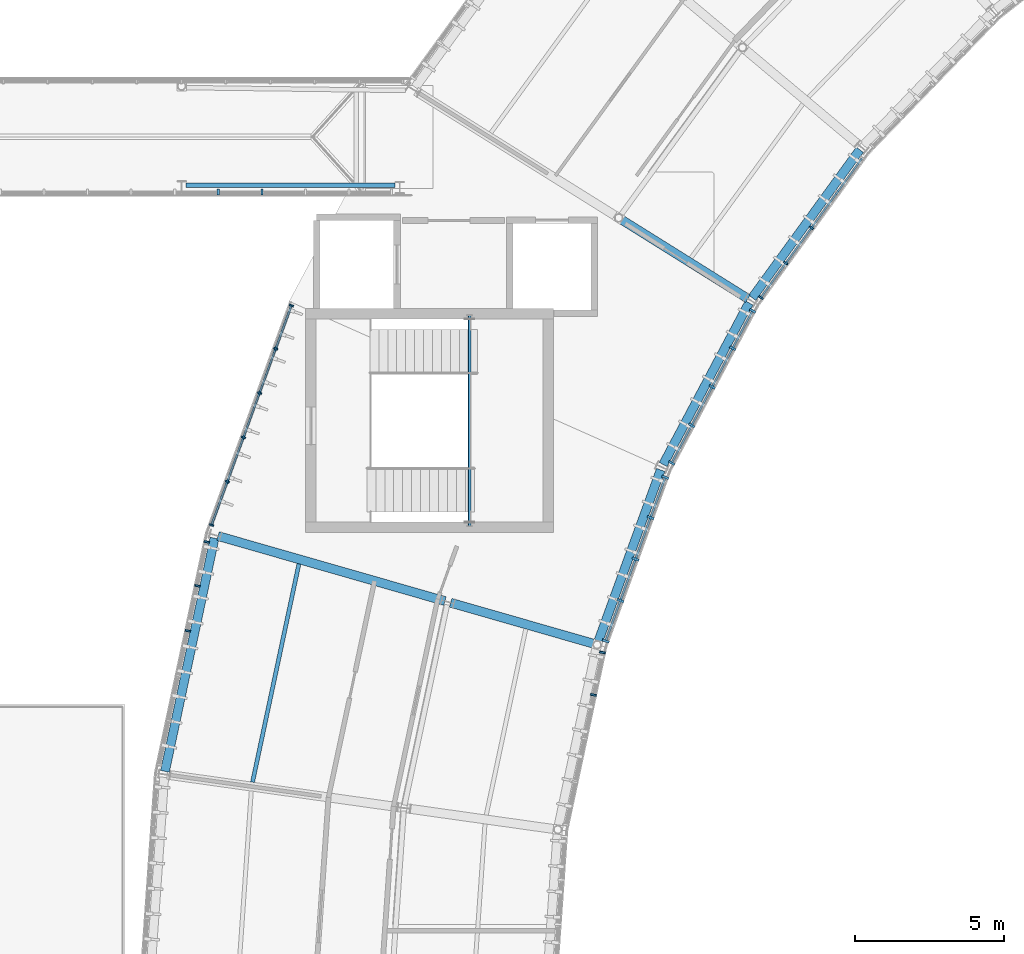
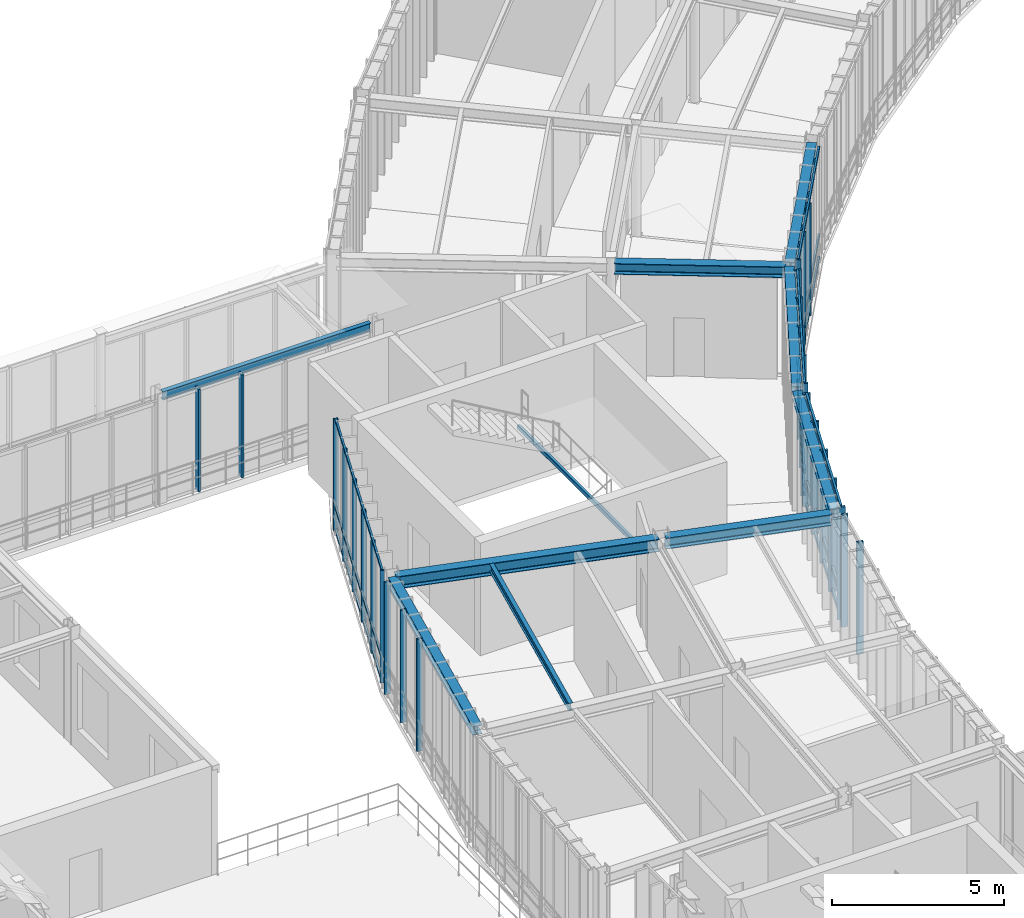
# One storey, part 16 of 52: 39 members, 9 beams, 7 elements without a shape of their own.
"""IFC4 building model written with IfcOpenShell, lengths in metres."""

from ifc_helpers import new_model, si_unit, direction, frame, origin, origin_2d, place, context, subcontext, project, spatial, rectangle, hollow_rectangle, i_section, extrude, material, layer, layer_set, material_profile, profile_set, type_object, element, aggregate, save


model = new_model("IFC4")

# Units and contexts
model_context = context("Model", 3, precision=1e-05, world=origin(), true_north=direction((0.0, 1.0)))
body_context = subcontext(model_context, "Body", "Model", "MODEL_VIEW")
ifc_project = project(units=[si_unit("LENGTHUNIT", "METRE"), si_unit("AREAUNIT", "SQUARE_METRE"), si_unit("VOLUMEUNIT", "CUBIC_METRE"), si_unit("PLANEANGLEUNIT", "RADIAN"), si_unit("MASSUNIT", "GRAM", prefix="KILO"), si_unit("THERMODYNAMICTEMPERATUREUNIT", "KELVIN"), si_unit("POWERUNIT", "WATT")], contexts=[model_context])

# Site, building, storey
site_placement = place(None, origin())
site = spatial("IfcSite", under=ifc_project, at=site_placement, CompositionType="ELEMENT")
building_placement = place(site_placement, origin())
building = spatial("IfcBuilding", under=site, at=building_placement, Name="Solvatero Civic Police Headquarters", CompositionType="ELEMENT")
storey_placement = place(building_placement, frame((0.0, 0.0, 13.5)))
storey = spatial("IfcBuildingStorey", under=building, at=storey_placement, Name="L03", CompositionType="ELEMENT", Elevation=13.5)

# Beams
ifc_material_1 = material(Name="Steel S355", Category="steel")
ifc_material_profile_1 = material_profile(ifc_material_1, i_section(OverallWidth=0.300048828125, OverallDepth=0.2900390625, WebThickness=0.008544921875, FlangeThickness=0.013916015625, FilletRadius=0.027099609375, at=origin_2d()), Name="HEA 300")
ifc_profile_set_1 = profile_set([ifc_material_profile_1], Name="Steel S355")
beam_type_1 = type_object("IfcBeamType", Name="BM-ST-HEA300", PredefinedType="SPANDREL", material=ifc_profile_set_1)
beam_1_placement = place(storey_placement, frame((59.201171875, 55.069580078125, 3.85498046875), z_axis=(-0.587785436261, -0.809016860714, 0.0), x_axis=(0.809016860714, -0.587785436261, 0.0)))
element("IfcBeam", 1, at=beam_1_placement, inside=storey, type_object=beam_type_1, Name="Perimeter / radial spandrel beam BM-R2-L03-ARC-CIN-B08", PredefinedType="SPANDREL", context=body_context, shape_type="SweptSolid", body=[
    extrude(i_section(OverallWidth=0.300048828125, OverallDepth=0.2900390625, WebThickness=0.008544921875, FlangeThickness=0.013916015625, FilletRadius=0.027099609375, at=origin_2d()), origin(), (0.0, 0.0, 1.0), 6.126953125),
])
beam_2_placement = place(storey_placement, frame((55.494140625, 49.943603515625, 3.85498046875), z_axis=(-0.469466925059, -0.882950058766, 0.0), x_axis=(0.882950058766, -0.469466925059, 0.0)))
element("IfcBeam", 2, at=beam_2_placement, inside=storey, type_object=beam_type_1, Name="Perimeter / radial spandrel beam BM-R2-L03-ARC-CIN-B09", PredefinedType="SPANDREL", context=body_context, shape_type="SweptSolid", body=[
    extrude(i_section(OverallWidth=0.300048828125, OverallDepth=0.2900390625, WebThickness=0.008544921875, FlangeThickness=0.013916015625, FilletRadius=0.027099609375, at=origin_2d()), origin(), (0.0, 0.0, 1.0), 6.127197265625),
])
beam_3_placement = place(storey_placement, frame((52.53662109375, 44.3515625, 3.85498046875), z_axis=(-0.342050189855, -0.939681684199, 0.0), x_axis=(0.939681684199, -0.342050189855, 0.0)))
element("IfcBeam", 3, at=beam_3_placement, inside=storey, type_object=beam_type_1, Name="Perimeter / radial spandrel beam BM-R2-L03-ARC-CIN-B10", PredefinedType="SPANDREL", context=body_context, shape_type="SweptSolid", body=[
    extrude(i_section(OverallWidth=0.300048828125, OverallDepth=0.2900390625, WebThickness=0.008544921875, FlangeThickness=0.013916015625, FilletRadius=0.027099609375, at=origin_2d()), origin(), (0.0, 0.0, 1.0), 6.126953125),
])
ifc_material_profile_2 = material_profile(ifc_material_1, i_section(OverallWidth=0.300048828125, OverallDepth=0.31005859375, WebThickness=0.009033203125, FlangeThickness=0.015380859375, FilletRadius=0.027099609375, at=origin_2d()), Name="HEA 320")
ifc_profile_set_2 = profile_set([ifc_material_profile_2], Name="Steel S355")
beam_type_2 = type_object("IfcBeamType", Name="BM-ST-HEA320", PredefinedType="SPANDREL", material=ifc_profile_set_2)
beam_4_placement = place(storey_placement, frame((37.601318359375, 42.068359375, 3.844970703125), z_axis=(-0.207912160321, -0.978147500938, 0.0), x_axis=(0.978147500938, -0.207912160321, 0.0)))
element("IfcBeam", 4, at=beam_4_placement, inside=storey, type_object=beam_type_2, Name="Perimeter / radial spandrel beam BM-R2-L03-ARC-COUT-B11", PredefinedType="SPANDREL", context=body_context, shape_type="SweptSolid", body=[
    extrude(i_section(OverallWidth=0.300048828125, OverallDepth=0.31005859375, WebThickness=0.009033203125, FlangeThickness=0.015380859375, FilletRadius=0.027099609375, at=origin_2d()), origin(), (0.0, 0.0, 1.0), 7.982666015625),
])
ifc_material_profile_3 = material_profile(ifc_material_1, i_section(OverallWidth=0.300048828125, OverallDepth=0.389892578125, WebThickness=0.010986328125, FlangeThickness=0.01904296875, FilletRadius=0.027099609375, at=origin_2d()), Name="HEA 400")
ifc_profile_set_3 = profile_set([ifc_material_profile_3], Name="Steel S355")
beam_type_3 = type_object("IfcBeamType", Name="BM-ST-HEA400", PredefinedType="BEAM", material=ifc_profile_set_3)
for number, where, z_axis, x_axis, name in (
    (5, (55.456298828125, 50.084716796875, 3.804931640625), (-0.848042191304, 0.529928713855, 0.0), (-0.529928713855, -0.848042191304, 0.0), "Primary girder BM-R2-L03-ARC-RAD1-S08"),
    (6, (50.310791015625, 38.52783203125, 3.804931640625), (-0.961263719424, 0.275630298987, 0.0), (-0.275630298987, -0.961263719424, 0.0), "Primary girder BM-R2-L03-ARC-RAD1-S10"),
):
    element("IfcBeam", number, at=place(storey_placement, frame(where, z_axis=z_axis, x_axis=x_axis)), inside=storey, type_object=beam_type_3, Name=name, PredefinedType="BEAM", context=body_context, shape_type="SweptSolid", body=[
        extrude(i_section(OverallWidth=0.300048828125, OverallDepth=0.389892578125, WebThickness=0.010986328125, FlangeThickness=0.01904296875, FilletRadius=0.027099609375, at=origin_2d()), origin(), (0.0, 0.0, 1.0), 5.0),
    ])
ifc_material_profile_4 = material_profile(ifc_material_1, i_section(OverallWidth=0.300048828125, OverallDepth=0.43994140625, WebThickness=0.011474609375, FlangeThickness=0.02099609375, FilletRadius=0.027099609375, at=origin_2d()), Name="HEA 450")
ifc_profile_set_4 = profile_set([ifc_material_profile_4], Name="Steel S355")
beam_type_4 = type_object("IfcBeamType", Name="BM-ST-HEA450", PredefinedType="BEAM", material=ifc_profile_set_4)
beam_5_placement = place(storey_placement, frame((45.31201171875, 39.961181640625, 3.780029296875), z_axis=(-0.961271645974, 0.275602653554, 0.0), x_axis=(-0.275602653554, -0.961271645974, 0.0)))
element("IfcBeam", 7, at=beam_5_placement, inside=storey, type_object=beam_type_4, Name="Primary girder BM-R2-L03-ARC-RAD2-S10", PredefinedType="BEAM", context=body_context, shape_type="SweptSolid", body=[
    extrude(i_section(OverallWidth=0.300048828125, OverallDepth=0.43994140625, WebThickness=0.011474609375, FlangeThickness=0.02099609375, FilletRadius=0.027099609375, at=origin_2d()), origin(), (0.0, 0.0, 1.0), 7.89990234375),
])
ifc_material_profile_5 = material_profile(ifc_material_1, i_section(OverallWidth=0.135009765625, OverallDepth=0.27001953125, WebThickness=0.006591796875, FlangeThickness=0.01025390625, FilletRadius=0.014892578125, at=origin_2d()), Name="IPE 270")
ifc_profile_set_5 = profile_set([ifc_material_profile_5], Name="Steel S355")
beam_type_5 = type_object("IfcBeamType", Name="BM-ST-IPE270", PredefinedType="BEAM", material=ifc_profile_set_5)
beam_6_placement = place(storey_placement, frame((40.426513671875, 41.206298828125, 3.864990234375), z_axis=(-0.207904092949, -0.97814921568, 0.0), x_axis=(0.97814921568, -0.207904092949, 0.0)))
element("IfcBeam", 8, at=beam_6_placement, inside=storey, type_object=beam_type_5, Name="Composite floor beam BM-R2-L03-ARC-CS2-B11", PredefinedType="BEAM", context=body_context, shape_type="SweptSolid", body=[
    extrude(i_section(OverallWidth=0.135009765625, OverallDepth=0.27001953125, WebThickness=0.006591796875, FlangeThickness=0.01025390625, FilletRadius=0.014892578125, at=origin_2d()), origin(), (0.0, 0.0, 1.0), 7.470947265625),
])
ifc_material_profile_6 = material_profile(ifc_material_1, i_section(OverallWidth=0.14990234375, OverallDepth=0.300048828125, WebThickness=0.007080078125, FlangeThickness=0.0107421875, FilletRadius=0.014892578125, at=origin_2d()), Name="IPE 300")
ifc_profile_set_6 = profile_set([ifc_material_profile_6], Name="Steel S355")
beam_type_6 = type_object("IfcBeamType", Name="BM-ST-IPE300", PredefinedType="BEAM", material=ifc_profile_set_6)
beam_7_placement = place(storey_placement, frame((36.64990234375, 53.8798828125, 3.6298828125), z_axis=(1.0, 0.0, 0.0), x_axis=(0.0, 1.0, 0.0)))
element("IfcBeam", 9, at=beam_7_placement, inside=storey, type_object=beam_type_6, Name="Composite floor beam BM-R2-L03-RRAF-SB1-S", PredefinedType="BEAM", context=body_context, shape_type="SweptSolid", body=[
    extrude(i_section(OverallWidth=0.14990234375, OverallDepth=0.300048828125, WebThickness=0.007080078125, FlangeThickness=0.0107421875, FilletRadius=0.014892578125, at=origin_2d()), origin(), (0.0, 0.0, 1.0), 7.0),
])

# Curtain wall, members
ifc_material_2 = material(Name="Anodized Bronze Aluminium", Category="aluminium")
ifc_layer_1 = layer(ifc_material_2, 0.179931640625)
ifc_layer_set_1 = layer_set([ifc_layer_1], Name="Anodized Bronze Aluminium")
curtain_wall_type_1 = type_object("IfcCurtainWallType", Name="CW-ARC-IN", PredefinedType="USERDEFINED", material=ifc_layer_set_1)
curtain_wall_1_placement = place(storey_placement, origin())
curtain_wall_1 = element("IfcCurtainWall", 10, at=curtain_wall_1_placement, inside=storey, type_object=curtain_wall_type_1, Name="Curtain Wall CW-R2-L03-ARC-IN-B10", ObjectType="UNITISED", PredefinedType="USERDEFINED")
ifc_material_profile_7 = material_profile(ifc_material_2, rectangle(XDim=0.080078125, YDim=0.239990234375, at=origin_2d()), Name="ALU MULLION 80x240")
ifc_profile_set_7 = profile_set([ifc_material_profile_7], Name="Anodized Bronze Aluminium")
member_type_1 = type_object("IfcMemberType", Name="CWM-140x60", PredefinedType="MULLION", material=ifc_profile_set_7)
member_1_placement = place(storey_placement, frame((52.6904296875, 44.10400390625, 0.0), z_axis=(0.0, 0.0, 1.0), x_axis=(-0.342020143326, -0.939692620786, 0.0)))
member_1 = element("IfcMember", 11, at=member_1_placement, type_object=member_type_1, Name="CW-R2-L03-ARC-IN-B10 Mullion 1", PredefinedType="MULLION", context=body_context, shape_type="SweptSolid", body=[
    extrude(rectangle(XDim=0.080078125, YDim=0.239990234375, at=origin_2d()), origin(), (0.0, 0.0, 1.0), 4.0),
])
member_2_placement = place(storey_placement, frame((52.19873046875, 42.7529296875, 0.0), z_axis=(0.0, 0.0, 1.0), x_axis=(-0.342020143326, -0.939692620786, 0.0)))
member_2 = element("IfcMember", 12, at=member_2_placement, type_object=member_type_1, Name="CW-R2-L03-ARC-IN-B10 Mullion 2", PredefinedType="MULLION", context=body_context, shape_type="SweptSolid", body=[
    extrude(rectangle(XDim=0.080078125, YDim=0.239990234375, at=origin_2d()), origin(), (0.0, 0.0, 1.0), 4.0),
])
member_3_placement = place(storey_placement, frame((51.693603515625, 41.364501953125, 0.0), z_axis=(0.0, 0.0, 1.0), x_axis=(-0.342020143326, -0.939692620786, 0.0)))
member_3 = element("IfcMember", 13, at=member_3_placement, type_object=member_type_1, Name="CW-R2-L03-ARC-IN-B10 Mullion 3", PredefinedType="MULLION", context=body_context, shape_type="SweptSolid", body=[
    extrude(rectangle(XDim=0.080078125, YDim=0.239990234375, at=origin_2d()), origin(), (0.0, 0.0, 1.0), 4.0),
])
member_4_placement = place(storey_placement, frame((51.18798828125, 39.97607421875, 0.0), z_axis=(0.0, 0.0, 1.0), x_axis=(-0.342020143326, -0.939692620786, 0.0)))
member_4 = element("IfcMember", 14, at=member_4_placement, type_object=member_type_1, Name="CW-R2-L03-ARC-IN-B10 Mullion 4", PredefinedType="MULLION", context=body_context, shape_type="SweptSolid", body=[
    extrude(rectangle(XDim=0.080078125, YDim=0.239990234375, at=origin_2d()), origin(), (0.0, 0.0, 1.0), 4.0),
])
member_5_placement = place(storey_placement, frame((50.696533203125, 38.625244140625, 0.0), z_axis=(0.0, 0.0, 1.0), x_axis=(-0.342020143326, -0.939692620786, 0.0)))
member_5 = element("IfcMember", 15, at=member_5_placement, type_object=member_type_1, Name="CW-R2-L03-ARC-IN-B10 Mullion 5", PredefinedType="MULLION", context=body_context, shape_type="SweptSolid", body=[
    extrude(rectangle(XDim=0.080078125, YDim=0.239990234375, at=origin_2d()), origin(), (0.0, 0.0, 1.0), 4.0),
])

ifc_layer_2 = layer(ifc_material_2, 0.179931640625)
ifc_layer_set_2 = layer_set([ifc_layer_2], Name="Anodized Bronze Aluminium")
curtain_wall_type_2 = type_object("IfcCurtainWallType", Name="CW-ARC-OUT", PredefinedType="USERDEFINED", material=ifc_layer_set_2)
curtain_wall_2_placement = place(storey_placement, origin())
curtain_wall_2 = element("IfcCurtainWall", 16, at=curtain_wall_2_placement, inside=storey, type_object=curtain_wall_type_2, Name="Curtain Wall CW-R2-L03-ARC-OUT-B10", ObjectType="UNITISED", PredefinedType="USERDEFINED")
ifc_material_profile_8 = material_profile(ifc_material_2, rectangle(XDim=0.06005859375, YDim=0.139892578125, at=origin_2d()), Name="ALU MULLION 60x140")
ifc_profile_set_8 = profile_set([ifc_material_profile_8], Name="Anodized Bronze Aluminium")
member_type_2 = type_object("IfcMemberType", Name="CWM-160x65", PredefinedType="MULLION", material=ifc_profile_set_8)
member_6_placement = place(storey_placement, frame((40.17626953125, 49.854736328125, 0.0), z_axis=(0.0, 0.0, 1.0), x_axis=(-0.342020143326, -0.939692620786, 0.0)))
member_6 = element("IfcMember", 17, at=member_6_placement, type_object=member_type_2, Name="CW-R2-L03-ARC-OUT-B10 Mullion 1", PredefinedType="MULLION", context=body_context, shape_type="SweptSolid", body=[
    extrude(rectangle(XDim=0.06005859375, YDim=0.139892578125, at=origin_2d()), origin(), (0.0, 0.0, 1.0), 4.0),
])
member_7_placement = place(storey_placement, frame((39.649658203125, 48.407958984375, 0.0), z_axis=(0.0, 0.0, 1.0), x_axis=(-0.342020143326, -0.939692620786, 0.0)))
member_7 = element("IfcMember", 18, at=member_7_placement, type_object=member_type_2, Name="CW-R2-L03-ARC-OUT-B10 Mullion 2", PredefinedType="MULLION", context=body_context, shape_type="SweptSolid", body=[
    extrude(rectangle(XDim=0.06005859375, YDim=0.139892578125, at=origin_2d()), origin(), (0.0, 0.0, 1.0), 4.0),
])
member_8_placement = place(storey_placement, frame((39.109375, 46.92333984375, 0.0), z_axis=(0.0, 0.0, 1.0), x_axis=(-0.342020143326, -0.939692620786, 0.0)))
member_8 = element("IfcMember", 19, at=member_8_placement, type_object=member_type_2, Name="CW-R2-L03-ARC-OUT-B10 Mullion 3", PredefinedType="MULLION", context=body_context, shape_type="SweptSolid", body=[
    extrude(rectangle(XDim=0.06005859375, YDim=0.139892578125, at=origin_2d()), origin(), (0.0, 0.0, 1.0), 4.0),
])
member_9_placement = place(storey_placement, frame((38.569091796875, 45.43896484375, 0.0), z_axis=(0.0, 0.0, 1.0), x_axis=(-0.342020143326, -0.939692620786, 0.0)))
member_9 = element("IfcMember", 20, at=member_9_placement, type_object=member_type_2, Name="CW-R2-L03-ARC-OUT-B10 Mullion 4", PredefinedType="MULLION", context=body_context, shape_type="SweptSolid", body=[
    extrude(rectangle(XDim=0.06005859375, YDim=0.139892578125, at=origin_2d()), origin(), (0.0, 0.0, 1.0), 4.0),
])
member_10_placement = place(storey_placement, frame((38.02880859375, 43.95458984375, 0.0), z_axis=(0.0, 0.0, 1.0), x_axis=(-0.342020143326, -0.939692620786, 0.0)))
member_10 = element("IfcMember", 21, at=member_10_placement, type_object=member_type_2, Name="CW-R2-L03-ARC-OUT-B10 Mullion 5", PredefinedType="MULLION", context=body_context, shape_type="SweptSolid", body=[
    extrude(rectangle(XDim=0.06005859375, YDim=0.139892578125, at=origin_2d()), origin(), (0.0, 0.0, 1.0), 4.0),
])
member_11_placement = place(storey_placement, frame((37.502197265625, 42.5078125, 0.0), z_axis=(0.0, 0.0, 1.0), x_axis=(-0.342020143326, -0.939692620786, 0.0)))
member_11 = element("IfcMember", 22, at=member_11_placement, type_object=member_type_2, Name="CW-R2-L03-ARC-OUT-B10 Mullion 6", PredefinedType="MULLION", context=body_context, shape_type="SweptSolid", body=[
    extrude(rectangle(XDim=0.06005859375, YDim=0.139892578125, at=origin_2d()), origin(), (0.0, 0.0, 1.0), 4.0),
])

curtain_wall_3_placement = place(storey_placement, origin())
curtain_wall_3 = element("IfcCurtainWall", 23, at=curtain_wall_3_placement, inside=storey, type_object=curtain_wall_type_1, Name="Curtain Wall CW-R2-L03-ARC-IN-B08", ObjectType="UNITISED", PredefinedType="USERDEFINED")
ifc_material_profile_9 = material_profile(ifc_material_2, rectangle(XDim=0.06005859375, YDim=0.159912109375, at=origin_2d()), Name="ALU MULLION 60x160")
ifc_profile_set_9 = profile_set([ifc_material_profile_9], Name="Anodized Bronze Aluminium")
member_type_3 = type_object("IfcMemberType", Name="CWM-180x70", PredefinedType="MULLION", material=ifc_profile_set_9)
member_12_placement = place(storey_placement, frame((57.5859375, 52.456298828125, 0.0), z_axis=(0.0, 0.0, 1.0), x_axis=(-0.587771132193, -0.80902725304, 0.0)))
member_12 = element("IfcMember", 24, at=member_12_placement, type_object=member_type_3, Name="CW-R2-L03-ARC-IN-B08 Mullion 3", PredefinedType="MULLION", context=body_context, shape_type="SweptSolid", body=[
    extrude(rectangle(XDim=0.06005859375, YDim=0.159912109375, at=origin_2d()), origin(), (0.0, 0.0, 1.0), 4.0),
])
member_13_placement = place(storey_placement, frame((56.726806640625, 51.273681640625, 0.0), z_axis=(0.0, 0.0, 1.0), x_axis=(-0.587771132193, -0.80902725304, 0.0)))
member_13 = element("IfcMember", 25, at=member_13_placement, type_object=member_type_3, Name="CW-R2-L03-ARC-IN-B08 Mullion 4", PredefinedType="MULLION", context=body_context, shape_type="SweptSolid", body=[
    extrude(rectangle(XDim=0.06005859375, YDim=0.159912109375, at=origin_2d()), origin(), (0.0, 0.0, 1.0), 4.0),
])
member_14_placement = place(storey_placement, frame((55.89111328125, 50.12353515625, 0.0), z_axis=(0.0, 0.0, 1.0), x_axis=(-0.587771132193, -0.80902725304, 0.0)))
member_14 = element("IfcMember", 26, at=member_14_placement, type_object=member_type_3, Name="CW-R2-L03-ARC-IN-B08 Mullion 5", PredefinedType="MULLION", context=body_context, shape_type="SweptSolid", body=[
    extrude(rectangle(XDim=0.06005859375, YDim=0.159912109375, at=origin_2d()), origin(), (0.0, 0.0, 1.0), 4.0),
])

curtain_wall_4_placement = place(storey_placement, origin())
curtain_wall_4 = element("IfcCurtainWall", 27, at=curtain_wall_4_placement, inside=storey, type_object=curtain_wall_type_2, Name="Curtain Wall CW-R2-L03-ARC-OUT-B11", ObjectType="UNITISED", PredefinedType="USERDEFINED")
ifc_material_profile_10 = material_profile(ifc_material_2, rectangle(XDim=0.06494140625, YDim=0.179931640625, at=origin_2d()), Name="ALU MULLION 65x180")
ifc_profile_set_10 = profile_set([ifc_material_profile_10], Name="Anodized Bronze Aluminium")
member_type_4 = type_object("IfcMemberType", Name="CWM-200x75", PredefinedType="MULLION", material=ifc_profile_set_10)
member_15_placement = place(storey_placement, frame((37.33935546875, 41.93994140625, 0.0), z_axis=(0.0, 0.0, 1.0), x_axis=(-0.207928762682, -0.978143971841, 0.0)))
member_15 = element("IfcMember", 28, at=member_15_placement, type_object=member_type_4, Name="CW-R2-L03-ARC-OUT-B11 Mullion 1", PredefinedType="MULLION", context=body_context, shape_type="SweptSolid", body=[
    extrude(rectangle(XDim=0.06494140625, YDim=0.179931640625, at=origin_2d()), origin(), (0.0, 0.0, 1.0), 4.0),
])
member_16_placement = place(storey_placement, frame((37.02734375, 40.472412109375, 0.0), z_axis=(0.0, 0.0, 1.0), x_axis=(-0.207928762682, -0.978143971841, 0.0)))
member_16 = element("IfcMember", 29, at=member_16_placement, type_object=member_type_4, Name="CW-R2-L03-ARC-OUT-B11 Mullion 2", PredefinedType="MULLION", context=body_context, shape_type="SweptSolid", body=[
    extrude(rectangle(XDim=0.06494140625, YDim=0.179931640625, at=origin_2d()), origin(), (0.0, 0.0, 1.0), 4.0),
])
member_17_placement = place(storey_placement, frame((36.70703125, 38.965576171875, 0.0), z_axis=(0.0, 0.0, 1.0), x_axis=(-0.207928762682, -0.978143971841, 0.0)))
member_17 = element("IfcMember", 30, at=member_17_placement, type_object=member_type_4, Name="CW-R2-L03-ARC-OUT-B11 Mullion 3", PredefinedType="MULLION", context=body_context, shape_type="SweptSolid", body=[
    extrude(rectangle(XDim=0.06494140625, YDim=0.179931640625, at=origin_2d()), origin(), (0.0, 0.0, 1.0), 4.0),
])
aggregate(curtain_wall_4, [member_15, member_16, member_17])

curtain_wall_5_placement = place(storey_placement, origin())
curtain_wall_5 = element("IfcCurtainWall", 31, at=curtain_wall_5_placement, inside=storey, type_object=curtain_wall_type_1, Name="Curtain Wall CW-R2-L03-ARC-IN-B11", ObjectType="UNITISED", PredefinedType="USERDEFINED")
ifc_material_profile_11 = material_profile(ifc_material_2, rectangle(XDim=0.070068359375, YDim=0.199951171875, at=origin_2d()), Name="ALU MULLION 70x200")
ifc_profile_set_11 = profile_set([ifc_material_profile_11], Name="Anodized Bronze Aluminium")
member_type_5 = type_object("IfcMemberType", Name="CWM-220x80", PredefinedType="MULLION", material=ifc_profile_set_11)
member_18_placement = place(storey_placement, frame((50.586181640625, 38.24072265625, 0.0), z_axis=(0.0, 0.0, 1.0), x_axis=(-0.207911690818, -0.978147600734, 0.0)))
member_18 = element("IfcMember", 32, at=member_18_placement, type_object=member_type_5, Name="CW-R2-L03-ARC-IN-B11 Mullion 1", PredefinedType="MULLION", context=body_context, shape_type="SweptSolid", body=[
    extrude(rectangle(XDim=0.070068359375, YDim=0.199951171875, at=origin_2d()), origin(), (0.0, 0.0, 1.0), 4.0),
])
member_19_placement = place(storey_placement, frame((50.283935546875, 36.81884765625, 0.0), z_axis=(0.0, 0.0, 1.0), x_axis=(-0.207911690818, -0.978147600734, 0.0)))
member_19 = element("IfcMember", 33, at=member_19_placement, type_object=member_type_5, Name="CW-R2-L03-ARC-IN-B11 Mullion 2", PredefinedType="MULLION", context=body_context, shape_type="SweptSolid", body=[
    extrude(rectangle(XDim=0.070068359375, YDim=0.199951171875, at=origin_2d()), origin(), (0.0, 0.0, 1.0), 4.0),
])
aggregate(curtain_wall_5, [member_18, member_19])

ifc_layer_3 = layer(ifc_material_2, 0.179931640625)
ifc_layer_set_3 = layer_set([ifc_layer_3], Name="Anodized Bronze Aluminium")
curtain_wall_type_3 = type_object("IfcCurtainWallType", Name="CW-SB-GLZ", PredefinedType="USERDEFINED", material=ifc_layer_set_3)
curtain_wall_6_placement = place(storey_placement, origin())
curtain_wall_6 = element("IfcCurtainWall", 34, at=curtain_wall_6_placement, inside=storey, type_object=curtain_wall_type_3, Name="Curtain Wall CW-R2-L03-SB1-S", ObjectType="UNITISED", PredefinedType="USERDEFINED")
member_20_placement = place(storey_placement, frame((37.7265625, 53.64990234375, 0.0), z_axis=(0.0, 0.0, 1.0), x_axis=(1.0, 0.0, 0.0)))
member_20 = element("IfcMember", 35, at=member_20_placement, type_object=member_type_5, Name="CW-R2-L03-SB1-S Mullion 7", PredefinedType="MULLION", context=body_context, shape_type="SweptSolid", body=[
    extrude(rectangle(XDim=0.070068359375, YDim=0.199951171875, at=origin_2d()), origin(), (0.0, 0.0, 1.0), 3.64990234375),
])
member_21_placement = place(storey_placement, frame((39.18505859375, 53.64990234375, 0.0), z_axis=(0.0, 0.0, 1.0), x_axis=(1.0, 0.0, 0.0)))
member_21 = element("IfcMember", 36, at=member_21_placement, type_object=member_type_5, Name="CW-R2-L03-SB1-S Mullion 8", PredefinedType="MULLION", context=body_context, shape_type="SweptSolid", body=[
    extrude(rectangle(XDim=0.070068359375, YDim=0.199951171875, at=origin_2d()), origin(), (0.0, 0.0, 1.0), 3.64990234375),
])
aggregate(curtain_wall_6, [member_20, member_21])

curtain_wall_7_placement = place(storey_placement, origin())
curtain_wall_7 = element("IfcCurtainWall", 37, at=curtain_wall_7_placement, inside=storey, type_object=curtain_wall_type_1, Name="Curtain Wall CW-R2-L03-ARC-IN-B09", ObjectType="UNITISED", PredefinedType="USERDEFINED")
ifc_material_profile_12 = material_profile(ifc_material_2, rectangle(XDim=0.074951171875, YDim=0.219970703125, at=origin_2d()), Name="ALU MULLION 75x220")
ifc_profile_set_12 = profile_set([ifc_material_profile_12], Name="Anodized Bronze Aluminium")
member_type_6 = type_object("IfcMemberType", Name="CWM-250x85", PredefinedType="MULLION", material=ifc_profile_set_12)
member_22_placement = place(storey_placement, frame((55.612060546875, 49.6767578125, 0.0), z_axis=(0.0, 0.0, 1.0), x_axis=(-0.469486973057, -0.8829393989, 0.0)))
member_22 = element("IfcMember", 38, at=member_22_placement, type_object=member_type_6, Name="CW-R2-L03-ARC-IN-B09 Mullion 1", PredefinedType="MULLION", context=body_context, shape_type="SweptSolid", body=[
    extrude(rectangle(XDim=0.074951171875, YDim=0.219970703125, at=origin_2d()), origin(), (0.0, 0.0, 1.0), 4.0),
])
member_23_placement = place(storey_placement, frame((54.944580078125, 48.42138671875, 0.0), z_axis=(0.0, 0.0, 1.0), x_axis=(-0.469486973057, -0.8829393989, 0.0)))
member_23 = element("IfcMember", 39, at=member_23_placement, type_object=member_type_6, Name="CW-R2-L03-ARC-IN-B09 Mullion 2", PredefinedType="MULLION", context=body_context, shape_type="SweptSolid", body=[
    extrude(rectangle(XDim=0.074951171875, YDim=0.219970703125, at=origin_2d()), origin(), (0.0, 0.0, 1.0), 4.0),
])
member_24_placement = place(storey_placement, frame((54.25830078125, 47.130859375, 0.0), z_axis=(0.0, 0.0, 1.0), x_axis=(-0.469486973057, -0.8829393989, 0.0)))
member_24 = element("IfcMember", 40, at=member_24_placement, type_object=member_type_6, Name="CW-R2-L03-ARC-IN-B09 Mullion 3", PredefinedType="MULLION", context=body_context, shape_type="SweptSolid", body=[
    extrude(rectangle(XDim=0.074951171875, YDim=0.219970703125, at=origin_2d()), origin(), (0.0, 0.0, 1.0), 4.0),
])
member_25_placement = place(storey_placement, frame((53.572265625, 45.84033203125, 0.0), z_axis=(0.0, 0.0, 1.0), x_axis=(-0.469486973057, -0.8829393989, 0.0)))
member_25 = element("IfcMember", 41, at=member_25_placement, type_object=member_type_6, Name="CW-R2-L03-ARC-IN-B09 Mullion 4", PredefinedType="MULLION", context=body_context, shape_type="SweptSolid", body=[
    extrude(rectangle(XDim=0.074951171875, YDim=0.219970703125, at=origin_2d()), origin(), (0.0, 0.0, 1.0), 4.0),
])
member_26_placement = place(storey_placement, frame((52.90478515625, 44.5849609375, 0.0), z_axis=(0.0, 0.0, 1.0), x_axis=(-0.469486973057, -0.8829393989, 0.0)))
member_26 = element("IfcMember", 42, at=member_26_placement, type_object=member_type_6, Name="CW-R2-L03-ARC-IN-B09 Mullion 5", PredefinedType="MULLION", context=body_context, shape_type="SweptSolid", body=[
    extrude(rectangle(XDim=0.074951171875, YDim=0.219970703125, at=origin_2d()), origin(), (0.0, 0.0, 1.0), 4.0),
])

# Member
ifc_material_profile_13 = material_profile(ifc_material_2, rectangle(XDim=0.070068359375, YDim=0.159912109375, at=origin_2d()), Name="ALU TRANSOM 70x160")
ifc_profile_set_13 = profile_set([ifc_material_profile_13], Name="Anodized Bronze Aluminium")
member_type_7 = type_object("IfcMemberType", Name="CWT-120x55", PredefinedType="USERDEFINED", material=ifc_profile_set_13)
member_27_placement = place(storey_placement, frame((52.68701171875, 44.094482421875, 0.0400390625), z_axis=(-0.341989335519, -0.939703833339, 0.0), x_axis=(0.939703833339, -0.341989335519, 0.0)))
member_27 = element("IfcMember", 43, at=member_27_placement, type_object=member_type_7, Name="CW-R2-L03-ARC-IN-B10 Transom 1", ObjectType="TRANSOM", PredefinedType="USERDEFINED", context=body_context, shape_type="SweptSolid", body=[
    extrude(rectangle(XDim=0.070068359375, YDim=0.159912109375, at=origin_2d()), origin(), (0.0, 0.0, 1.0), 5.810302734375),
])

member_28_placement = place(storey_placement, frame((52.68701171875, 44.094482421875, 0.85009765625), z_axis=(-0.341989335519, -0.939703833339, 0.0), x_axis=(0.939703833339, -0.341989335519, 0.0)))
member_28 = element("IfcMember", 44, at=member_28_placement, type_object=member_type_7, Name="CW-R2-L03-ARC-IN-B10 Transom 2", ObjectType="TRANSOM", PredefinedType="USERDEFINED", context=body_context, shape_type="SweptSolid", body=[
    extrude(rectangle(XDim=0.070068359375, YDim=0.159912109375, at=origin_2d()), origin(), (0.0, 0.0, 1.0), 5.810302734375),
])

member_29_placement = place(storey_placement, frame((52.68701171875, 44.094482421875, 3.9599609375), z_axis=(-0.341989335519, -0.939703833339, 0.0), x_axis=(0.939703833339, -0.341989335519, 0.0)))
member_29 = element("IfcMember", 45, at=member_29_placement, type_object=member_type_7, Name="CW-R2-L03-ARC-IN-B10 Transom 3", ObjectType="TRANSOM", PredefinedType="USERDEFINED", context=body_context, shape_type="SweptSolid", body=[
    extrude(rectangle(XDim=0.070068359375, YDim=0.159912109375, at=origin_2d()), origin(), (0.0, 0.0, 1.0), 5.810302734375),
])

aggregate(curtain_wall_1, [member_1, member_2, member_3, member_4, member_5, member_27, member_28, member_29])

ifc_material_profile_14 = material_profile(ifc_material_2, rectangle(XDim=0.06005859375, YDim=0.110107421875, at=origin_2d()), Name="ALU TRANSOM 60x110")
ifc_profile_set_14 = profile_set([ifc_material_profile_14], Name="Anodized Bronze Aluminium")
member_type_8 = type_object("IfcMemberType", Name="CWT-140x60", PredefinedType="USERDEFINED", material=ifc_profile_set_14)
member_30_placement = place(storey_placement, frame((40.1728515625, 49.84521484375, 0.0400390625), z_axis=(-0.342022063168, -0.939691922018, 0.0), x_axis=(0.939691922018, -0.342022063168, 0.0)))
member_30 = element("IfcMember", 46, at=member_30_placement, type_object=member_type_8, Name="CW-R2-L03-ARC-OUT-B10 Transom 1", ObjectType="TRANSOM", PredefinedType="USERDEFINED", context=body_context, shape_type="SweptSolid", body=[
    extrude(rectangle(XDim=0.06005859375, YDim=0.110107421875, at=origin_2d()), origin(), (0.0, 0.0, 1.0), 7.79833984375),
])

member_31_placement = place(storey_placement, frame((40.1728515625, 49.84521484375, 0.85009765625), z_axis=(-0.342022063168, -0.939691922018, 0.0), x_axis=(0.939691922018, -0.342022063168, 0.0)))
member_31 = element("IfcMember", 47, at=member_31_placement, type_object=member_type_8, Name="CW-R2-L03-ARC-OUT-B10 Transom 2", ObjectType="TRANSOM", PredefinedType="USERDEFINED", context=body_context, shape_type="SweptSolid", body=[
    extrude(rectangle(XDim=0.06005859375, YDim=0.110107421875, at=origin_2d()), origin(), (0.0, 0.0, 1.0), 7.79833984375),
])

member_32_placement = place(storey_placement, frame((40.1728515625, 49.84521484375, 3.9599609375), z_axis=(-0.342022063168, -0.939691922018, 0.0), x_axis=(0.939691922018, -0.342022063168, 0.0)))
member_32 = element("IfcMember", 48, at=member_32_placement, type_object=member_type_8, Name="CW-R2-L03-ARC-OUT-B10 Transom 3", ObjectType="TRANSOM", PredefinedType="USERDEFINED", context=body_context, shape_type="SweptSolid", body=[
    extrude(rectangle(XDim=0.06005859375, YDim=0.110107421875, at=origin_2d()), origin(), (0.0, 0.0, 1.0), 7.79833984375),
])

aggregate(curtain_wall_2, [member_6, member_7, member_8, member_9, member_10, member_11, member_30, member_31, member_32])

ifc_material_profile_15 = material_profile(ifc_material_2, rectangle(XDim=0.06005859375, YDim=0.125, at=origin_2d()), Name="ALU TRANSOM 60x125")
ifc_profile_set_15 = profile_set([ifc_material_profile_15], Name="Anodized Bronze Aluminium")
member_type_9 = type_object("IfcMemberType", Name="CWT-160x65", PredefinedType="USERDEFINED", material=ifc_profile_set_15)
member_33_placement = place(storey_placement, frame((59.27490234375, 54.781005859375, 0.0400390625), z_axis=(-0.58774977477, -0.809042769116, 0.0), x_axis=(0.809042769116, -0.58774977477, 0.0)))
member_33 = element("IfcMember", 49, at=member_33_placement, type_object=member_type_9, Name="CW-R2-L03-ARC-IN-B08 Transom 1", ObjectType="TRANSOM", PredefinedType="USERDEFINED", context=body_context, shape_type="SweptSolid", body=[
    extrude(rectangle(XDim=0.06005859375, YDim=0.125, at=origin_2d()), origin(), (0.0, 0.0, 1.0), 5.746826171875),
])

member_34_placement = place(storey_placement, frame((59.27490234375, 54.781005859375, 0.85009765625), z_axis=(-0.58774977477, -0.809042769116, 0.0), x_axis=(0.809042769116, -0.58774977477, 0.0)))
member_34 = element("IfcMember", 50, at=member_34_placement, type_object=member_type_9, Name="CW-R2-L03-ARC-IN-B08 Transom 2", ObjectType="TRANSOM", PredefinedType="USERDEFINED", context=body_context, shape_type="SweptSolid", body=[
    extrude(rectangle(XDim=0.06005859375, YDim=0.125, at=origin_2d()), origin(), (0.0, 0.0, 1.0), 5.746826171875),
])

member_35_placement = place(storey_placement, frame((59.27490234375, 54.781005859375, 3.9599609375), z_axis=(-0.58774977477, -0.809042769116, 0.0), x_axis=(0.809042769116, -0.58774977477, 0.0)))
member_35 = element("IfcMember", 51, at=member_35_placement, type_object=member_type_9, Name="CW-R2-L03-ARC-IN-B08 Transom 3", ObjectType="TRANSOM", PredefinedType="USERDEFINED", context=body_context, shape_type="SweptSolid", body=[
    extrude(rectangle(XDim=0.06005859375, YDim=0.125, at=origin_2d()), origin(), (0.0, 0.0, 1.0), 5.746826171875),
])

aggregate(curtain_wall_3, [member_12, member_13, member_14, member_33, member_34, member_35])

ifc_material_profile_16 = material_profile(ifc_material_2, rectangle(XDim=0.06494140625, YDim=0.139892578125, at=origin_2d()), Name="ALU TRANSOM 65x140")
ifc_profile_set_16 = profile_set([ifc_material_profile_16], Name="Anodized Bronze Aluminium")
member_type_10 = type_object("IfcMemberType", Name="CWT-180x70", PredefinedType="USERDEFINED", material=ifc_profile_set_16)
member_36_placement = place(storey_placement, frame((55.607421875, 49.66796875, 0.0400390625), z_axis=(-0.469469945666, -0.882948452695, 0.0), x_axis=(0.882948452695, -0.469469945666, 0.0)))
member_36 = element("IfcMember", 52, at=member_36_placement, type_object=member_type_10, Name="CW-R2-L03-ARC-IN-B09 Transom 1", ObjectType="TRANSOM", PredefinedType="USERDEFINED", context=body_context, shape_type="SweptSolid", body=[
    extrude(rectangle(XDim=0.06494140625, YDim=0.139892578125, at=origin_2d()), origin(), (0.0, 0.0, 1.0), 5.746826171875),
])

member_37_placement = place(storey_placement, frame((55.607421875, 49.66796875, 0.85009765625), z_axis=(-0.469469945666, -0.882948452695, 0.0), x_axis=(0.882948452695, -0.469469945666, 0.0)))
member_37 = element("IfcMember", 53, at=member_37_placement, type_object=member_type_10, Name="CW-R2-L03-ARC-IN-B09 Transom 2", ObjectType="TRANSOM", PredefinedType="USERDEFINED", context=body_context, shape_type="SweptSolid", body=[
    extrude(rectangle(XDim=0.06494140625, YDim=0.139892578125, at=origin_2d()), origin(), (0.0, 0.0, 1.0), 5.746826171875),
])

member_38_placement = place(storey_placement, frame((55.607421875, 49.66796875, 3.9599609375), z_axis=(-0.469469945666, -0.882948452695, 0.0), x_axis=(0.882948452695, -0.469469945666, 0.0)))
member_38 = element("IfcMember", 54, at=member_38_placement, type_object=member_type_10, Name="CW-R2-L03-ARC-IN-B09 Transom 3", ObjectType="TRANSOM", PredefinedType="USERDEFINED", context=body_context, shape_type="SweptSolid", body=[
    extrude(rectangle(XDim=0.06494140625, YDim=0.139892578125, at=origin_2d()), origin(), (0.0, 0.0, 1.0), 5.746826171875),
])

aggregate(curtain_wall_7, [member_22, member_23, member_24, member_25, member_26, member_36, member_37, member_38])

ifc_material_profile_17 = material_profile(ifc_material_1, hollow_rectangle(XDim=0.10009765625, YDim=0.14990234375, WallThickness=0.00634765625, InnerFilletRadius=0.00634765625, OuterFilletRadius=0.0126953125, at=origin_2d()), Name="RHS 150x100x6.3")
ifc_profile_set_17 = profile_set([ifc_material_profile_17], Name="Steel S355")
member_type_11 = type_object("IfcMemberType", Name="MB-BR-RHS150", PredefinedType="BRACE", material=ifc_profile_set_17)
member_39_placement = place(storey_placement, frame((46.139892578125, 42.47998046875, 1.824951171875), z_axis=(0.0, 1.0, 0.0), x_axis=(-1.0, 0.0, 0.0)))
element("IfcMember", 55, at=member_39_placement, inside=storey, type_object=member_type_11, Name="ST-C2 L03 Landing Support Beam", PredefinedType="BRACE", context=body_context, shape_type="SweptSolid", body=[
    extrude(hollow_rectangle(XDim=0.10009765625, YDim=0.14990234375, WallThickness=0.00634765625, InnerFilletRadius=0.00634765625, OuterFilletRadius=0.0126953125, at=origin_2d()), origin(), (0.0, 0.0, 1.0), 7.0400390625),
])

save(model, "model.ifc")
